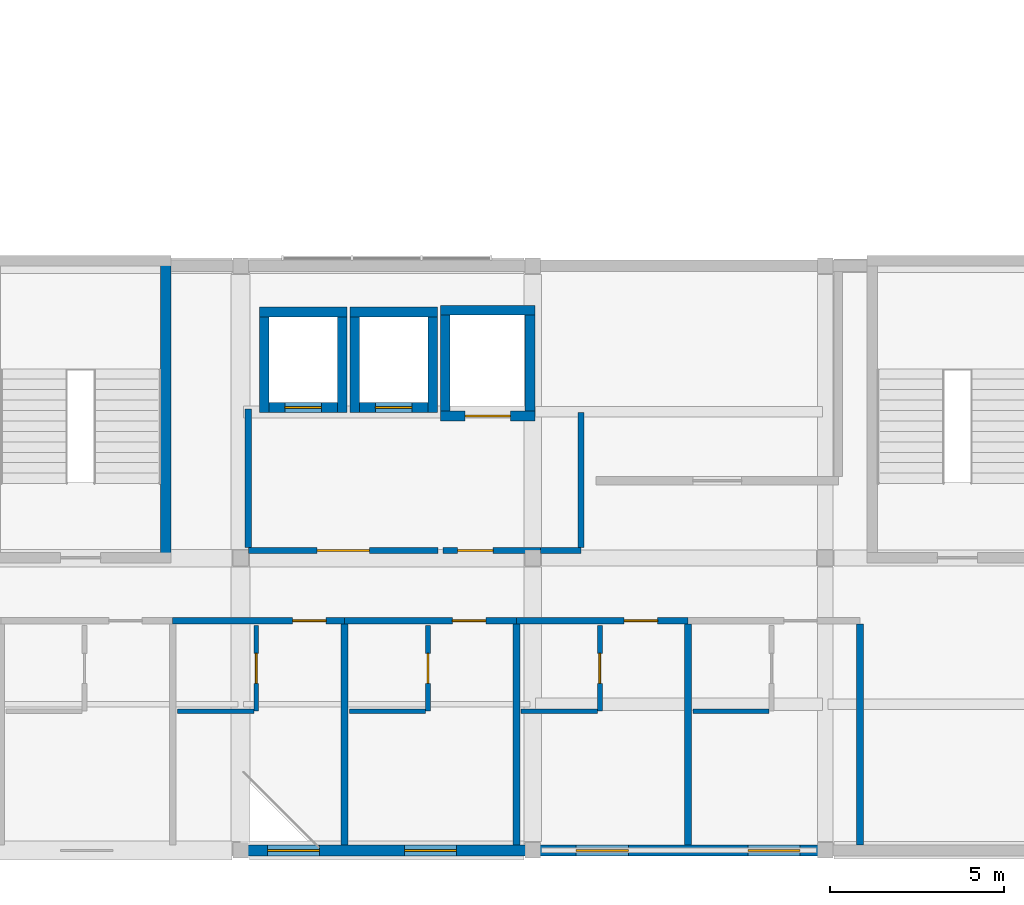
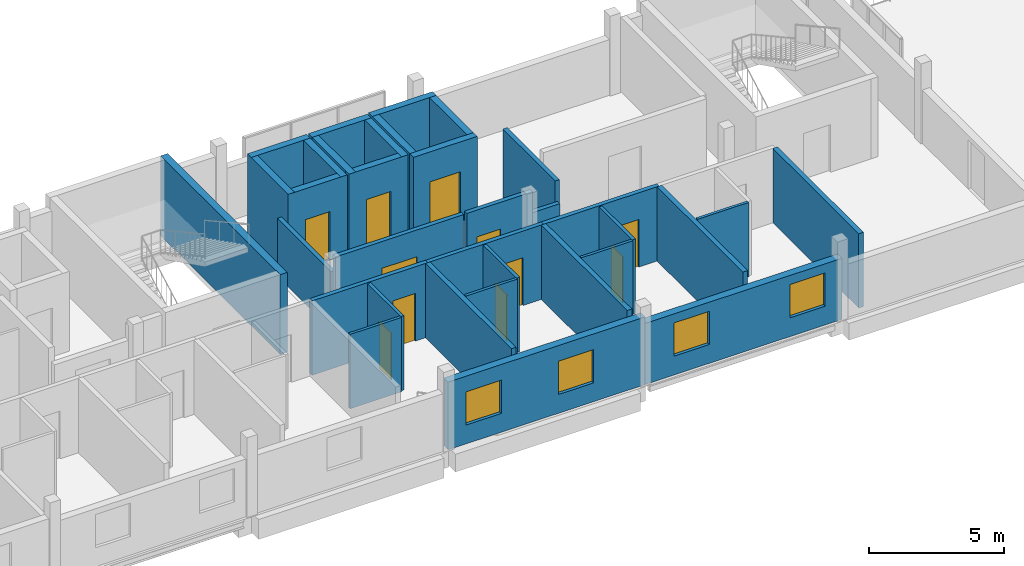
# One storey, part 15 of 19: 34 walls, 11 doors, 4 windows, 15 openings.
"""IFC4 building model written with IfcOpenShell, lengths in metres."""

from ifc_helpers import new_model, si_unit, derived_unit, direction, frame, frame_2d, origin, place, context, subcontext, project, spatial, rectangle, extrude, material, layer, layer_set, type_object, element, fill, save


model = new_model("IFC4")

# Units and contexts
model_context = context("Model", 3, precision=1e-05, world=origin(), true_north=direction((0.0, 1.0)))
body_context = subcontext(model_context, "Body", "Model", "MODEL_VIEW")
ifc_project = project(units=[si_unit("LENGTHUNIT", "METRE"), si_unit("AREAUNIT", "SQUARE_METRE"), si_unit("VOLUMEUNIT", "CUBIC_METRE"), si_unit("PLANEANGLEUNIT", "RADIAN"), si_unit("MASSUNIT", "GRAM", prefix="KILO"), derived_unit("THERMALTRANSMITTANCEUNIT", [(si_unit("POWERUNIT", "WATT"), 1), (si_unit("LENGTHUNIT", "METRE"), -2), (si_unit("THERMODYNAMICTEMPERATUREUNIT", "KELVIN"), -1)])], contexts=[model_context])

# Site, building, storey
site_placement = place(None, origin())
site = spatial("IfcSite", under=ifc_project, at=site_placement, CompositionType="ELEMENT")
building_placement = place(site_placement, origin())
building = spatial("IfcBuilding", under=site, at=building_placement, Name="Barrovel Congress Hotel", CompositionType="ELEMENT")
storey_placement = place(building_placement, frame((0.0, 0.0, 43.5)))
storey = spatial("IfcBuildingStorey", under=building, at=storey_placement, Name="L11", CompositionType="ELEMENT", Elevation=43.5)

# Wall, openings, windows
ifc_material_1 = material(Name="Fired Clay Brick Masonry", Category="masonry")
ifc_layer_1 = layer(ifc_material_1, 0.320068359375)
ifc_layer_set_1 = layer_set([ifc_layer_1], Name="Fired Clay Brick Masonry")
wall_type_1 = type_object("IfcWallType", Name="EW-BRK320", PredefinedType="STANDARD", material=ifc_layer_set_1)
wall_1_placement = place(storey_placement, frame((84.0, 4.199951171875, 0.0), z_axis=(0.0, 0.0, 1.0), x_axis=(1.0, 0.0, 0.0)))
wall_1 = element("IfcWall", 1, at=wall_1_placement, inside=storey, type_object=wall_type_1, Name="EW:L11:HS-S:P07", PredefinedType="STANDARD", context=body_context, shape_type="SweptSolid", body=[
    extrude(rectangle(XDim=8.39990234375, YDim=0.320068359375, at=frame_2d((4.199951171875, 0.0))), origin(), (0.0, 0.0, 1.0), 3.05517578125),
])
opening_1_placement = place(wall_1_placement, frame((0.768798828125, 0.0, 0.85009765625)))
opening_1 = element("IfcOpeningElement", 2, at=opening_1_placement, cuts=wall_1, Name="Opening WN-07", PredefinedType="OPENING", context=body_context, shape_type="SweptSolid", body=[
    extrude(rectangle(XDim=1.5, YDim=1.5, at=frame_2d((0.75, 0.75))), frame((0.0, 0.169921875, 0.0), z_axis=(0.0, -1.0, 0.0), x_axis=(1.0, 0.0, 0.0)), (0.0, 0.0, 1.0), 0.340087890625),
])
opening_2_placement = place(wall_1_placement, frame((4.706298828125, 0.0, 0.85009765625)))
opening_2 = element("IfcOpeningElement", 3, at=opening_2_placement, cuts=wall_1, Name="Opening WN-07", PredefinedType="OPENING", context=body_context, shape_type="SweptSolid", body=[
    extrude(rectangle(XDim=1.5, YDim=1.5, at=frame_2d((0.75, 0.75))), frame((0.0, 0.169921875, 0.0), z_axis=(0.0, -1.0, 0.0), x_axis=(1.0, 0.0, 0.0)), (0.0, 0.0, 1.0), 0.340087890625),
])
ifc_material_2 = material(Name="Double Low-E Insulated Glazing", Category="glass")
window_type = type_object("IfcWindowType", Name="WIN-WN-07", PartitioningType="SINGLE_PANEL", PredefinedType="WINDOW", material=ifc_material_2)
window_1_placement = place(opening_1_placement, origin())
window_1 = element("IfcWindow", 4, at=window_1_placement, inside=storey, type_object=window_type, Name="WIN:L11:U14", OverallHeight=1.5, OverallWidth=1.5, PartitioningType="SINGLE_PANEL", PredefinedType="WINDOW", context=body_context, shape_type="SweptSolid", body=[
    extrude(rectangle(XDim=1.5, YDim=1.5, at=frame_2d((0.75, 0.75))), frame((0.0, 0.030029296875, 0.0), z_axis=(0.0, -1.0, 0.0), x_axis=(1.0, 0.0, 0.0)), (0.0, 0.0, 1.0), 0.06005859375),
])
fill(opening_1, window_1)
window_2_placement = place(opening_2_placement, origin())
window_2 = element("IfcWindow", 5, at=window_2_placement, inside=storey, type_object=window_type, Name="WIN:L11:U15", OverallHeight=1.5, OverallWidth=1.5, PartitioningType="SINGLE_PANEL", PredefinedType="WINDOW", context=body_context, shape_type="SweptSolid", body=[
    extrude(rectangle(XDim=1.5, YDim=1.5, at=frame_2d((0.75, 0.75))), frame((0.0, 0.030029296875, 0.0), z_axis=(0.0, -1.0, 0.0), x_axis=(1.0, 0.0, 0.0)), (0.0, 0.0, 1.0), 0.06005859375),
])
fill(opening_2, window_2)

wall_2_placement = place(storey_placement, frame((92.39990234375, 4.199951171875, 0.0), z_axis=(0.0, 0.0, 1.0), x_axis=(1.0, 0.0, 0.0)))
wall_2 = element("IfcWall", 6, at=wall_2_placement, inside=storey, type_object=wall_type_1, Name="EW:L11:HS-S:P08", PredefinedType="STANDARD", context=body_context, shape_type="SweptSolid", body=[
    extrude(rectangle(XDim=8.400146484375, YDim=0.320068359375, at=frame_2d((4.2001953125, 0.0))), origin(), (0.0, 0.0, 1.0), 2.760009765625),
])
opening_3_placement = place(wall_2_placement, frame((1.24365234375, 0.0, 0.85009765625)))
opening_3 = element("IfcOpeningElement", 7, at=opening_3_placement, cuts=wall_2, Name="Opening WN-07", PredefinedType="OPENING", context=body_context, shape_type="SweptSolid", body=[
    extrude(rectangle(XDim=1.5, YDim=1.5, at=frame_2d((0.75, 0.75))), frame((0.0, 0.169921875, 0.0), z_axis=(0.0, -1.0, 0.0), x_axis=(1.0, 0.0, 0.0)), (0.0, 0.0, 1.0), 0.340087890625),
])
opening_4_placement = place(wall_2_placement, frame((6.18115234375, 0.0, 0.85009765625)))
opening_4 = element("IfcOpeningElement", 8, at=opening_4_placement, cuts=wall_2, Name="Opening WN-07", PredefinedType="OPENING", context=body_context, shape_type="SweptSolid", body=[
    extrude(rectangle(XDim=1.5, YDim=1.5, at=frame_2d((0.75, 0.75))), frame((0.0, 0.169921875, 0.0), z_axis=(0.0, -1.0, 0.0), x_axis=(1.0, 0.0, 0.0)), (0.0, 0.0, 1.0), 0.340087890625),
])
window_3_placement = place(opening_3_placement, origin())
window_3 = element("IfcWindow", 9, at=window_3_placement, inside=storey, type_object=window_type, Name="WIN:L11:U16", OverallHeight=1.5, OverallWidth=1.5, PartitioningType="SINGLE_PANEL", PredefinedType="WINDOW", context=body_context, shape_type="SweptSolid", body=[
    extrude(rectangle(XDim=1.5, YDim=1.5, at=frame_2d((0.75, 0.75))), frame((0.0, 0.030029296875, 0.0), z_axis=(0.0, -1.0, 0.0), x_axis=(1.0, 0.0, 0.0)), (0.0, 0.0, 1.0), 0.06005859375),
])
fill(opening_3, window_3)
window_4_placement = place(opening_4_placement, origin())
window_4 = element("IfcWindow", 10, at=window_4_placement, inside=storey, type_object=window_type, Name="WIN:L11:U17", OverallHeight=1.5, OverallWidth=1.5, PartitioningType="SINGLE_PANEL", PredefinedType="WINDOW", context=body_context, shape_type="SweptSolid", body=[
    extrude(rectangle(XDim=1.5, YDim=1.5, at=frame_2d((0.75, 0.75))), frame((0.0, 0.030029296875, 0.0), z_axis=(0.0, -1.0, 0.0), x_axis=(1.0, 0.0, 0.0)), (0.0, 0.0, 1.0), 0.06005859375),
])
fill(opening_4, window_4)

# Wall, opening, door
ifc_material_3 = material(Name="Gypsum Acoustic Stud", Category="gypsum")
ifc_layer_2 = layer(ifc_material_3, 0.179931640625)
ifc_layer_set_2 = layer_set([ifc_layer_2], Name="Gypsum Acoustic Stud")
wall_type_2 = type_object("IfcWallType", Name="PW-ACU-180", PredefinedType="PARTITIONING", material=ifc_layer_set_2)
wall_3_placement = place(storey_placement, frame((82.050048828125, 10.800048828125, 0.0), z_axis=(0.0, 0.0, 1.0), x_axis=(1.0, 0.0, 0.0)))
wall_3 = element("IfcWall", 11, at=wall_3_placement, inside=storey, type_object=wall_type_2, Name="PW:L11:U14:COR", PredefinedType="PARTITIONING", context=body_context, shape_type="SweptSolid", body=[
    extrude(rectangle(XDim=4.9375, YDim=0.179931640625, at=frame_2d((2.46875, 0.0))), origin(), (0.0, 0.0, 1.0), 3.35498046875),
])
opening_5_placement = place(wall_3_placement, frame((3.4482421875, 0.0, 0.0)))
opening_5 = element("IfcOpeningElement", 12, at=opening_5_placement, cuts=wall_3, Name="Opening ID-HTL", PredefinedType="OPENING", context=body_context, shape_type="SweptSolid", body=[
    extrude(rectangle(XDim=0.9599609375, YDim=2.14990234375, at=frame_2d((0.47998046875, 1.074951171875))), frame((0.0, 0.10009765625, 0.0), z_axis=(0.0, -1.0, 0.0), x_axis=(1.0, 0.0, 0.0)), (0.0, 0.0, 1.0), 0.199951171875),
])
ifc_material_4 = material(Name="Solid Oak Acoustic Timber Door", Category="wood")
door_type_1 = type_object("IfcDoorType", Name="IDR-ID-HTL", OperationType="NOTDEFINED", PredefinedType="DOOR", material=ifc_material_4)
door_1_placement = place(opening_5_placement, origin())
door_1 = element("IfcDoor", 13, at=door_1_placement, inside=storey, type_object=door_type_1, Name="DR:L11:U14:ENT", OperationType="SINGLE_SWING_RIGHT", OverallHeight=2.14990234375, OverallWidth=0.9599609375, PredefinedType="DOOR", context=body_context, shape_type="SweptSolid", body=[
    extrude(rectangle(XDim=0.9599609375, YDim=2.14990234375, at=frame_2d((0.47998046875, 1.074951171875))), frame((0.0, 0.02490234375, 0.0), z_axis=(0.0, -1.0, 0.0), x_axis=(1.0, 0.0, 0.0)), (0.0, 0.0, 1.0), 0.050048828125),
])
fill(opening_5, door_1)

wall_4_placement = place(storey_placement, frame((86.987548828125, 10.800048828125, 0.0), z_axis=(0.0, 0.0, 1.0), x_axis=(1.0, 0.0, 0.0)))
wall_4 = element("IfcWall", 14, at=wall_4_placement, inside=storey, type_object=wall_type_2, Name="PW:L11:U15:COR", PredefinedType="PARTITIONING", context=body_context, shape_type="SweptSolid", body=[
    extrude(rectangle(XDim=4.9375, YDim=0.179931640625, at=frame_2d((2.46875, 0.0))), origin(), (0.0, 0.0, 1.0), 3.35498046875),
])
opening_6_placement = place(wall_4_placement, frame((3.098388671875, 0.0, 0.0)))
opening_6 = element("IfcOpeningElement", 15, at=opening_6_placement, cuts=wall_4, Name="Opening ID-HTL", PredefinedType="OPENING", context=body_context, shape_type="SweptSolid", body=[
    extrude(rectangle(XDim=0.9599609375, YDim=2.14990234375, at=frame_2d((0.47998046875, 1.074951171875))), frame((0.0, 0.10009765625, 0.0), z_axis=(0.0, -1.0, 0.0), x_axis=(1.0, 0.0, 0.0)), (0.0, 0.0, 1.0), 0.199951171875),
])
door_2_placement = place(opening_6_placement, origin())
door_2 = element("IfcDoor", 16, at=door_2_placement, inside=storey, type_object=door_type_1, Name="DR:L11:U15:ENT", OperationType="SINGLE_SWING_RIGHT", OverallHeight=2.14990234375, OverallWidth=0.9599609375, PredefinedType="DOOR", context=body_context, shape_type="SweptSolid", body=[
    extrude(rectangle(XDim=0.9599609375, YDim=2.14990234375, at=frame_2d((0.47998046875, 1.074951171875))), frame((0.0, 0.02490234375, 0.0), z_axis=(0.0, -1.0, 0.0), x_axis=(1.0, 0.0, 0.0)), (0.0, 0.0, 1.0), 0.050048828125),
])
fill(opening_6, door_2)

wall_5_placement = place(storey_placement, frame((91.925048828125, 10.800048828125, 0.0), z_axis=(0.0, 0.0, 1.0), x_axis=(1.0, 0.0, 0.0)))
wall_5 = element("IfcWall", 17, at=wall_5_placement, inside=storey, type_object=wall_type_2, Name="PW:L11:U16:COR", PredefinedType="PARTITIONING", context=body_context, shape_type="SweptSolid", body=[
    extrude(rectangle(XDim=4.9375, YDim=0.179931640625, at=frame_2d((2.46875, 0.0))), origin(), (0.0, 0.0, 1.0), 3.35498046875),
])
opening_7_placement = place(wall_5_placement, frame((3.098388671875, 0.0, 0.0)))
opening_7 = element("IfcOpeningElement", 18, at=opening_7_placement, cuts=wall_5, Name="Opening ID-HTL", PredefinedType="OPENING", context=body_context, shape_type="SweptSolid", body=[
    extrude(rectangle(XDim=0.9599609375, YDim=2.14990234375, at=frame_2d((0.47998046875, 1.074951171875))), frame((0.0, 0.10009765625, 0.0), z_axis=(0.0, -1.0, 0.0), x_axis=(1.0, 0.0, 0.0)), (0.0, 0.0, 1.0), 0.199951171875),
])
door_3_placement = place(opening_7_placement, origin())
door_3 = element("IfcDoor", 19, at=door_3_placement, inside=storey, type_object=door_type_1, Name="DR:L11:U16:ENT", OperationType="SINGLE_SWING_RIGHT", OverallHeight=2.14990234375, OverallWidth=0.9599609375, PredefinedType="DOOR", context=body_context, shape_type="SweptSolid", body=[
    extrude(rectangle(XDim=0.9599609375, YDim=2.14990234375, at=frame_2d((0.47998046875, 1.074951171875))), frame((0.0, 0.02490234375, 0.0), z_axis=(0.0, -1.0, 0.0), x_axis=(1.0, 0.0, 0.0)), (0.0, 0.0, 1.0), 0.050048828125),
])
fill(opening_7, door_3)

wall_6_placement = place(storey_placement, frame((84.219970703125, 12.820068359375, 0.0), z_axis=(0.0, 0.0, 1.0), x_axis=(1.0, 0.0, 0.0)))
wall_6 = element("IfcWall", 20, at=wall_6_placement, inside=storey, type_object=wall_type_2, Name="RW:SP:L11:LL-C2:S", PredefinedType="PARTITIONING", context=body_context, shape_type="SweptSolid", body=[
    extrude(rectangle(XDim=5.4599609375, YDim=0.179931640625, at=frame_2d((2.72998046875, 0.0))), origin(), (0.0, 0.0, 1.0), 3.35498046875),
])
opening_8_placement = place(wall_6_placement, frame((1.97998046875, 0.0, 0.0)))
opening_8 = element("IfcOpeningElement", 21, at=opening_8_placement, cuts=wall_6, Name="Opening ID-FFL", PredefinedType="OPENING", context=body_context, shape_type="SweptSolid", body=[
    extrude(rectangle(XDim=1.5, YDim=2.14990234375, at=frame_2d((0.75, 1.074951171875))), frame((0.0, 0.10009765625, 0.0), z_axis=(0.0, -1.0, 0.0), x_axis=(1.0, 0.0, 0.0)), (0.0, 0.0, 1.0), 0.199951171875),
])
ifc_material_5 = material(Name="Painted Hollow-Metal Steel Door", Category="steel")
door_type_2 = type_object("IfcDoorType", Name="IDR-ID-FFL", OperationType="NOTDEFINED", PredefinedType="DOOR", material=ifc_material_5)
door_4_placement = place(opening_8_placement, origin())
door_4 = element("IfcDoor", 22, at=door_4_placement, inside=storey, type_object=door_type_2, Name="RD:SP:L11:LL-C2", OperationType="DOUBLE_DOOR_SINGLE_SWING", OverallHeight=2.14990234375, OverallWidth=1.5, PredefinedType="DOOR", context=body_context, shape_type="SweptSolid", body=[
    extrude(rectangle(XDim=1.5, YDim=2.14990234375, at=frame_2d((0.75, 1.074951171875))), frame((0.0, 0.02490234375, 0.0), z_axis=(0.0, -1.0, 0.0), x_axis=(1.0, 0.0, 0.0)), (0.0, 0.0, 1.0), 0.050048828125),
])
fill(opening_8, door_4)

# Wall
wall_7_placement = place(storey_placement, frame((84.219970703125, 12.909912109375, 0.0), z_axis=(0.0, 0.0, 1.0), x_axis=(0.0, 1.0, 0.0)))
element("IfcWall", 23, at=wall_7_placement, inside=storey, type_object=wall_type_2, Name="RW:SP:L11:LL-C2:W", PredefinedType="PARTITIONING", context=body_context, shape_type="SweptSolid", body=[
    extrude(rectangle(XDim=3.969970703125, YDim=0.179931640625, at=frame_2d((1.98486328125, 0.0))), origin(), (0.0, 0.0, 1.0), 2.610107421875),
])

# Wall, opening, door
wall_8_placement = place(storey_placement, frame((89.820068359375, 12.820068359375, 0.0), z_axis=(0.0, 0.0, 1.0), x_axis=(1.0, 0.0, 0.0)))
wall_8 = element("IfcWall", 24, at=wall_8_placement, inside=storey, type_object=wall_type_2, Name="RW:SP:L11:LL-SL2:S", PredefinedType="PARTITIONING", context=body_context, shape_type="SweptSolid", body=[
    extrude(rectangle(XDim=2.804931640625, YDim=0.179931640625, at=frame_2d((1.40234375, 0.0))), origin(), (0.0, 0.0, 1.0), 3.35498046875),
])
opening_9_placement = place(wall_8_placement, frame((0.419921875, 0.0, 0.0)))
opening_9 = element("IfcOpeningElement", 25, at=opening_9_placement, cuts=wall_8, Name="Opening ID-ACC", PredefinedType="OPENING", context=body_context, shape_type="SweptSolid", body=[
    extrude(rectangle(XDim=1.02001953125, YDim=2.14990234375, at=frame_2d((0.510009765625, 1.074951171875))), frame((0.0, 0.10009765625, 0.0), z_axis=(0.0, -1.0, 0.0), x_axis=(1.0, 0.0, 0.0)), (0.0, 0.0, 1.0), 0.199951171875),
])
door_type_3 = type_object("IfcDoorType", Name="IDR-ID-ACC", OperationType="NOTDEFINED", PredefinedType="DOOR", material=ifc_material_4)
door_5_placement = place(opening_9_placement, origin())
door_5 = element("IfcDoor", 26, at=door_5_placement, inside=storey, type_object=door_type_3, Name="RD:SP:L11:LL-SL2", OperationType="SINGLE_SWING_LEFT", OverallHeight=2.14990234375, OverallWidth=1.02001953125, PredefinedType="DOOR", context=body_context, shape_type="SweptSolid", body=[
    extrude(rectangle(XDim=1.02001953125, YDim=2.14990234375, at=frame_2d((0.510009765625, 1.074951171875))), frame((0.0, 0.02490234375, 0.0), z_axis=(0.0, -1.0, 0.0), x_axis=(1.0, 0.0, 0.0)), (0.0, 0.0, 1.0), 0.050048828125),
])
fill(opening_9, door_5)

# Walls
wall_9_placement = place(storey_placement, frame((93.780029296875, 12.909912109375, 0.0), z_axis=(0.0, 0.0, 1.0), x_axis=(0.0, 1.0, 0.0)))
element("IfcWall", 27, at=wall_9_placement, inside=storey, type_object=wall_type_2, Name="RW:SP:L11:LL-SL2:E", PredefinedType="PARTITIONING", context=body_context, shape_type="SweptSolid", body=[
    extrude(rectangle(XDim=3.8701171875, YDim=0.179931640625, at=frame_2d((1.93505859375, 0.0))), origin(), (0.0, 0.0, 1.0), 3.35498046875),
])
wall_10_placement = place(storey_placement, frame((92.625, 12.820068359375, 0.0), z_axis=(0.0, 0.0, 1.0), x_axis=(1.0, 0.0, 0.0)))
element("IfcWall", 28, at=wall_10_placement, inside=storey, type_object=wall_type_2, Name="RW:SP:L11:LL-SL2:S:P02", PredefinedType="PARTITIONING", context=body_context, shape_type="SweptSolid", body=[
    extrude(rectangle(XDim=1.155029296875, YDim=0.179931640625, at=frame_2d((0.57763671875, 0.0))), origin(), (0.0, 0.0, 1.0), 2.409912109375),
])
ifc_layer_3 = layer(ifc_material_3, 0.1201171875)
ifc_layer_set_3 = layer_set([ifc_layer_3], Name="Gypsum Acoustic Stud")
wall_type_3 = type_object("IfcWallType", Name="PW-INT-120", PredefinedType="PARTITIONING", material=ifc_layer_set_3)
for number, where, z_axis, x_axis, name in (
    (29, (82.18994140625, 8.199951171875, 0.0), (0.0, 0.0, 1.0), (1.0, 0.0, 0.0), "PW:L11:U14:B2"),
    (30, (87.12744140625, 8.199951171875, 0.0), (0.0, 0.0, 1.0), (1.0, 0.0, 0.0), "PW:L11:U15:B2"),
    (31, (92.06494140625, 8.199951171875, 0.0), (0.0, 0.0, 1.0), (1.0, 0.0, 0.0), "PW:L11:U16:B2"),
    (32, (97.00244140625, 8.199951171875, 0.0), (0.0, 0.0, 1.0), (1.0, 0.0, 0.0), "PW:L11:U17:B2"),
):
    element("IfcWall", number, at=place(storey_placement, frame(where, z_axis=z_axis, x_axis=x_axis)), inside=storey, type_object=wall_type_3, Name=name, PredefinedType="PARTITIONING", context=body_context, shape_type="SweptSolid", body=[
        extrude(rectangle(XDim=2.18994140625, YDim=0.1201171875, at=frame_2d((1.094970703125, 0.0))), origin(), (0.0, 0.0, 1.0), 3.35498046875),
    ])
ifc_layer_4 = layer(ifc_material_1, 0.199951171875)
ifc_layer_set_4 = layer_set([ifc_layer_4], Name="Fired Clay Brick Masonry")
wall_type_4 = type_object("IfcWallType", Name="PW-MAS-200", PredefinedType="PARTITIONING", material=ifc_layer_set_4)
for number, where, z_axis, x_axis, name in (
    (33, (86.987548828125, 4.360107421875, 0.0), (0.0, 0.0, 1.0), (0.0, 1.0, 0.0), "PW:L11:U14:DEM"),
    (34, (91.925048828125, 4.360107421875, 0.0), (0.0, 0.0, 1.0), (0.0, 1.0, 0.0), "PW:L11:U15:DEM"),
    (35, (96.862548828125, 4.360107421875, 0.0), (0.0, 0.0, 1.0), (0.0, 1.0, 0.0), "PW:L11:U16:DEM"),
    (36, (101.800048828125, 4.360107421875, 0.0), (0.0, 0.0, 1.0), (0.0, 1.0, 0.0), "PW:L11:U17:DEM"),
):
    element("IfcWall", number, at=place(storey_placement, frame(where, z_axis=z_axis, x_axis=x_axis)), inside=storey, type_object=wall_type_4, Name=name, PredefinedType="PARTITIONING", context=body_context, shape_type="SweptSolid", body=[
        extrude(rectangle(XDim=6.349853515625, YDim=0.199951171875, at=frame_2d((3.1748046875, 0.0))), origin(), (0.0, 0.0, 1.0), 3.35498046875),
    ])

# Wall, opening, door
ifc_material_6 = material(Name="Gypsum Moisture Board", Category="gypsum")
ifc_layer_5 = layer(ifc_material_6, 0.139892578125)
ifc_layer_set_5 = layer_set([ifc_layer_5], Name="Gypsum Moisture Board")
wall_type_5 = type_object("IfcWallType", Name="PW-WET-140", PredefinedType="PARTITIONING", material=ifc_layer_set_5)
wall_11_placement = place(storey_placement, frame((84.449951171875, 8.199951171875, 0.0), z_axis=(0.0, 0.0, 1.0), x_axis=(0.0, 1.0, 0.0)))
wall_11 = element("IfcWall", 37, at=wall_11_placement, inside=storey, type_object=wall_type_5, Name="PW:L11:U14:B1", PredefinedType="PARTITIONING", context=body_context, shape_type="SweptSolid", body=[
    extrude(rectangle(XDim=2.4599609375, YDim=0.139892578125, at=frame_2d((1.22998046875, 0.0))), origin(), (0.0, 0.0, 1.0), 3.35498046875),
])
opening_10_placement = place(wall_11_placement, frame((0.800048828125, 0.0, 0.0)))
opening_10 = element("IfcOpeningElement", 38, at=opening_10_placement, cuts=wall_11, Name="Opening ID-ENS", PredefinedType="OPENING", context=body_context, shape_type="SweptSolid", body=[
    extrude(rectangle(XDim=0.860107421875, YDim=2.10009765625, at=frame_2d((0.43017578125, 1.050048828125))), frame((0.0, 0.080078125, 0.0), z_axis=(0.0, -1.0, 0.0), x_axis=(1.0, 0.0, 0.0)), (0.0, 0.0, 1.0), 0.159912109375),
])
ifc_material_7 = material(Name="Lacquered Timber Moisture Door", Category="wood")
door_type_4 = type_object("IfcDoorType", Name="IDR-ID-ENS", OperationType="NOTDEFINED", PredefinedType="DOOR", material=ifc_material_7)
door_6_placement = place(opening_10_placement, origin())
door_6 = element("IfcDoor", 39, at=door_6_placement, inside=storey, type_object=door_type_4, Name="DR:L11:U14:ENS", OperationType="SINGLE_SWING_LEFT", OverallHeight=2.10009765625, OverallWidth=0.860107421875, PredefinedType="DOOR", context=body_context, shape_type="SweptSolid", body=[
    extrude(rectangle(XDim=0.860107421875, YDim=2.10009765625, at=frame_2d((0.43017578125, 1.050048828125))), frame((0.0, 0.02490234375, 0.0), z_axis=(0.0, -1.0, 0.0), x_axis=(1.0, 0.0, 0.0)), (0.0, 0.0, 1.0), 0.050048828125),
])
fill(opening_10, door_6)

wall_12_placement = place(storey_placement, frame((89.387451171875, 8.199951171875, 0.0), z_axis=(0.0, 0.0, 1.0), x_axis=(0.0, 1.0, 0.0)))
wall_12 = element("IfcWall", 40, at=wall_12_placement, inside=storey, type_object=wall_type_5, Name="PW:L11:U15:B1", PredefinedType="PARTITIONING", context=body_context, shape_type="SweptSolid", body=[
    extrude(rectangle(XDim=2.4599609375, YDim=0.139892578125, at=frame_2d((1.22998046875, 0.0))), origin(), (0.0, 0.0, 1.0), 3.35498046875),
])
opening_11_placement = place(wall_12_placement, frame((0.800048828125, 0.0, 0.0)))
opening_11 = element("IfcOpeningElement", 41, at=opening_11_placement, cuts=wall_12, Name="Opening ID-ENS", PredefinedType="OPENING", context=body_context, shape_type="SweptSolid", body=[
    extrude(rectangle(XDim=0.860107421875, YDim=2.10009765625, at=frame_2d((0.43017578125, 1.050048828125))), frame((0.0, 0.080078125, 0.0), z_axis=(0.0, -1.0, 0.0), x_axis=(1.0, 0.0, 0.0)), (0.0, 0.0, 1.0), 0.159912109375),
])
door_7_placement = place(opening_11_placement, origin())
door_7 = element("IfcDoor", 42, at=door_7_placement, inside=storey, type_object=door_type_4, Name="DR:L11:U15:ENS", OperationType="SINGLE_SWING_LEFT", OverallHeight=2.10009765625, OverallWidth=0.860107421875, PredefinedType="DOOR", context=body_context, shape_type="SweptSolid", body=[
    extrude(rectangle(XDim=0.860107421875, YDim=2.10009765625, at=frame_2d((0.43017578125, 1.050048828125))), frame((0.0, 0.02490234375, 0.0), z_axis=(0.0, -1.0, 0.0), x_axis=(1.0, 0.0, 0.0)), (0.0, 0.0, 1.0), 0.050048828125),
])
fill(opening_11, door_7)

wall_13_placement = place(storey_placement, frame((94.324951171875, 8.199951171875, 0.0), z_axis=(0.0, 0.0, 1.0), x_axis=(0.0, 1.0, 0.0)))
wall_13 = element("IfcWall", 43, at=wall_13_placement, inside=storey, type_object=wall_type_5, Name="PW:L11:U16:B1", PredefinedType="PARTITIONING", context=body_context, shape_type="SweptSolid", body=[
    extrude(rectangle(XDim=2.4599609375, YDim=0.139892578125, at=frame_2d((1.22998046875, 0.0))), origin(), (0.0, 0.0, 1.0), 3.35498046875),
])
opening_12_placement = place(wall_13_placement, frame((0.800048828125, 0.0, 0.0)))
opening_12 = element("IfcOpeningElement", 44, at=opening_12_placement, cuts=wall_13, Name="Opening ID-ENS", PredefinedType="OPENING", context=body_context, shape_type="SweptSolid", body=[
    extrude(rectangle(XDim=0.860107421875, YDim=2.10009765625, at=frame_2d((0.43017578125, 1.050048828125))), frame((0.0, 0.080078125, 0.0), z_axis=(0.0, -1.0, 0.0), x_axis=(1.0, 0.0, 0.0)), (0.0, 0.0, 1.0), 0.159912109375),
])
door_8_placement = place(opening_12_placement, origin())
door_8 = element("IfcDoor", 45, at=door_8_placement, inside=storey, type_object=door_type_4, Name="DR:L11:U16:ENS", OperationType="SINGLE_SWING_LEFT", OverallHeight=2.10009765625, OverallWidth=0.860107421875, PredefinedType="DOOR", context=body_context, shape_type="SweptSolid", body=[
    extrude(rectangle(XDim=0.860107421875, YDim=2.10009765625, at=frame_2d((0.43017578125, 1.050048828125))), frame((0.0, 0.02490234375, 0.0), z_axis=(0.0, -1.0, 0.0), x_axis=(1.0, 0.0, 0.0)), (0.0, 0.0, 1.0), 0.050048828125),
])
fill(opening_12, door_8)

ifc_material_8 = material(Name="Concrete C40", Category="concrete")
ifc_layer_6 = layer(ifc_material_8, 0.280029296875)
ifc_layer_set_6 = layer_set([ifc_layer_6], Name="Concrete C40")
wall_type_6 = type_object("IfcWallType", Name="SW-C40-280", PredefinedType="SHEAR", material=ifc_layer_set_6)
wall_14_placement = place(storey_placement, frame((84.5400390625, 16.929931640625, 0.0), z_axis=(0.0, 0.0, 1.0), x_axis=(1.0, 0.0, 0.0)))
wall_14 = element("IfcWall", 46, at=wall_14_placement, inside=storey, type_object=wall_type_6, Name="LSH:PL-3:L11:S", PredefinedType="SHEAR", context=body_context, shape_type="SweptSolid", body=[
    extrude(rectangle(XDim=2.52001953125, YDim=0.280029296875, at=frame_2d((1.260009765625, 0.0))), origin(), (0.0, 0.0, 1.0), 3.60009765625),
])
opening_13_placement = place(wall_14_placement, frame((0.735107421875, 0.0, 0.0)))
opening_13 = element("IfcOpeningElement", 47, at=opening_13_placement, cuts=wall_14, Name="Opening LD-PAX", PredefinedType="OPENING", context=body_context, shape_type="SweptSolid", body=[
    extrude(rectangle(XDim=1.050048828125, YDim=2.199951171875, at=frame_2d((0.52490234375, 1.10009765625))), frame((0.0, 0.14990234375, 0.0), z_axis=(0.0, -1.0, 0.0), x_axis=(1.0, 0.0, 0.0)), (0.0, 0.0, 1.0), 0.300048828125),
])
ifc_material_9 = material(Name="Brushed Stainless Steel", Category="steel")
door_type_5 = type_object("IfcDoorType", Name="IDR-LD-PAX", OperationType="NOTDEFINED", PredefinedType="DOOR", material=ifc_material_9)
door_9_placement = place(opening_13_placement, origin())
door_9 = element("IfcDoor", 48, at=door_9_placement, inside=storey, type_object=door_type_5, Name="Lift Landing Door LD-PL-3-L11", OperationType="SLIDING_TO_LEFT", OverallHeight=2.199951171875, OverallWidth=1.050048828125, PredefinedType="DOOR", context=body_context, shape_type="SweptSolid", body=[
    extrude(rectangle(XDim=1.050048828125, YDim=2.199951171875, at=frame_2d((0.52490234375, 1.10009765625))), frame((0.0, 0.02490234375, 0.0), z_axis=(0.0, -1.0, 0.0), x_axis=(1.0, 0.0, 0.0)), (0.0, 0.0, 1.0), 0.050048828125),
])
fill(opening_13, door_9)

# Walls
wall_15_placement = place(storey_placement, frame((86.919921875, 16.7900390625, 0.0), z_axis=(0.0, 0.0, 1.0), x_axis=(0.0, 1.0, 0.0)))
element("IfcWall", 49, at=wall_15_placement, inside=storey, type_object=wall_type_6, Name="LSH:PL-3:L11:E", PredefinedType="SHEAR", context=body_context, shape_type="SweptSolid", body=[
    extrude(rectangle(XDim=3.02001953125, YDim=0.280029296875, at=frame_2d((1.510009765625, 0.0))), origin(), (0.0, 0.0, 1.0), 3.60009765625),
])
wall_16_placement = place(storey_placement, frame((87.06005859375, 19.669921875, 0.0), z_axis=(0.0, 0.0, 1.0), x_axis=(-1.0, 0.0, 0.0)))
element("IfcWall", 50, at=wall_16_placement, inside=storey, type_object=wall_type_6, Name="LSH:PL-3:L11:N", PredefinedType="SHEAR", context=body_context, shape_type="SweptSolid", body=[
    extrude(rectangle(XDim=2.52001953125, YDim=0.280029296875, at=frame_2d((1.260009765625, 0.0))), origin(), (0.0, 0.0, 1.0), 3.60009765625),
])
wall_17_placement = place(storey_placement, frame((84.679931640625, 19.81005859375, 0.0), z_axis=(0.0, 0.0, 1.0), x_axis=(0.0, -1.0, 0.0)))
element("IfcWall", 51, at=wall_17_placement, inside=storey, type_object=wall_type_6, Name="LSH:PL-3:L11:W", PredefinedType="SHEAR", context=body_context, shape_type="SweptSolid", body=[
    extrude(rectangle(XDim=3.02001953125, YDim=0.280029296875, at=frame_2d((1.510009765625, 0.0))), origin(), (0.0, 0.0, 1.0), 3.60009765625),
])

# Wall, opening, door
wall_18_placement = place(storey_placement, frame((87.139892578125, 16.929931640625, 0.0), z_axis=(0.0, 0.0, 1.0), x_axis=(1.0, 0.0, 0.0)))
wall_18 = element("IfcWall", 52, at=wall_18_placement, inside=storey, type_object=wall_type_6, Name="LSH:PL-4:L11:S", PredefinedType="SHEAR", context=body_context, shape_type="SweptSolid", body=[
    extrude(rectangle(XDim=2.52001953125, YDim=0.280029296875, at=frame_2d((1.260009765625, 0.0))), origin(), (0.0, 0.0, 1.0), 3.60009765625),
])
opening_14_placement = place(wall_18_placement, frame((0.735107421875, 0.0, 0.0)))
opening_14 = element("IfcOpeningElement", 53, at=opening_14_placement, cuts=wall_18, Name="Opening LD-PAX", PredefinedType="OPENING", context=body_context, shape_type="SweptSolid", body=[
    extrude(rectangle(XDim=1.050048828125, YDim=2.199951171875, at=frame_2d((0.52490234375, 1.10009765625))), frame((0.0, 0.14990234375, 0.0), z_axis=(0.0, -1.0, 0.0), x_axis=(1.0, 0.0, 0.0)), (0.0, 0.0, 1.0), 0.300048828125),
])
door_10_placement = place(opening_14_placement, origin())
door_10 = element("IfcDoor", 54, at=door_10_placement, inside=storey, type_object=door_type_5, Name="Lift Landing Door LD-PL-4-L11", OperationType="SLIDING_TO_LEFT", OverallHeight=2.199951171875, OverallWidth=1.050048828125, PredefinedType="DOOR", context=body_context, shape_type="SweptSolid", body=[
    extrude(rectangle(XDim=1.050048828125, YDim=2.199951171875, at=frame_2d((0.52490234375, 1.10009765625))), frame((0.0, 0.02490234375, 0.0), z_axis=(0.0, -1.0, 0.0), x_axis=(1.0, 0.0, 0.0)), (0.0, 0.0, 1.0), 0.050048828125),
])
fill(opening_14, door_10)

# Walls
wall_19_placement = place(storey_placement, frame((89.52001953125, 16.7900390625, 0.0), z_axis=(0.0, 0.0, 1.0), x_axis=(0.0, 1.0, 0.0)))
element("IfcWall", 55, at=wall_19_placement, inside=storey, type_object=wall_type_6, Name="LSH:PL-4:L11:E", PredefinedType="SHEAR", context=body_context, shape_type="SweptSolid", body=[
    extrude(rectangle(XDim=3.02001953125, YDim=0.280029296875, at=frame_2d((1.510009765625, 0.0))), origin(), (0.0, 0.0, 1.0), 3.60009765625),
])
wall_20_placement = place(storey_placement, frame((89.659912109375, 19.669921875, 0.0), z_axis=(0.0, 0.0, 1.0), x_axis=(-1.0, 0.0, 0.0)))
element("IfcWall", 56, at=wall_20_placement, inside=storey, type_object=wall_type_6, Name="LSH:PL-4:L11:N", PredefinedType="SHEAR", context=body_context, shape_type="SweptSolid", body=[
    extrude(rectangle(XDim=2.52001953125, YDim=0.280029296875, at=frame_2d((1.260009765625, 0.0))), origin(), (0.0, 0.0, 1.0), 3.60009765625),
])
wall_21_placement = place(storey_placement, frame((87.280029296875, 19.81005859375, 0.0), z_axis=(0.0, 0.0, 1.0), x_axis=(0.0, -1.0, 0.0)))
element("IfcWall", 57, at=wall_21_placement, inside=storey, type_object=wall_type_6, Name="LSH:PL-4:L11:W", PredefinedType="SHEAR", context=body_context, shape_type="SweptSolid", body=[
    extrude(rectangle(XDim=3.02001953125, YDim=0.280029296875, at=frame_2d((1.510009765625, 0.0))), origin(), (0.0, 0.0, 1.0), 3.60009765625),
])

# Wall, opening, door
wall_22_placement = place(storey_placement, frame((89.739990234375, 16.679931640625, 0.0), z_axis=(0.0, 0.0, 1.0), x_axis=(1.0, 0.0, 0.0)))
wall_22 = element("IfcWall", 58, at=wall_22_placement, inside=storey, type_object=wall_type_6, Name="LSH:SL-2:L11:S", PredefinedType="SHEAR", context=body_context, shape_type="SweptSolid", body=[
    extrude(rectangle(XDim=2.719970703125, YDim=0.280029296875, at=frame_2d((1.35986328125, 0.0))), origin(), (0.0, 0.0, 1.0), 3.60009765625),
])
opening_15_placement = place(wall_22_placement, frame((0.7099609375, 0.0, 0.0)))
opening_15 = element("IfcOpeningElement", 59, at=opening_15_placement, cuts=wall_22, Name="Opening LD-SRV", PredefinedType="OPENING", context=body_context, shape_type="SweptSolid", body=[
    extrude(rectangle(XDim=1.300048828125, YDim=2.25, at=frame_2d((0.64990234375, 1.125))), frame((0.0, 0.14990234375, 0.0), z_axis=(0.0, -1.0, 0.0), x_axis=(1.0, 0.0, 0.0)), (0.0, 0.0, 1.0), 0.300048828125),
])
door_type_6 = type_object("IfcDoorType", Name="IDR-LD-SRV", OperationType="NOTDEFINED", PredefinedType="DOOR", material=ifc_material_9)
door_11_placement = place(opening_15_placement, origin())
door_11 = element("IfcDoor", 60, at=door_11_placement, inside=storey, type_object=door_type_6, Name="Lift Landing Door LD-SL-2-L11", OperationType="SLIDING_TO_LEFT", OverallHeight=2.25, OverallWidth=1.300048828125, PredefinedType="DOOR", context=body_context, shape_type="SweptSolid", body=[
    extrude(rectangle(XDim=1.300048828125, YDim=2.25, at=frame_2d((0.64990234375, 1.125))), frame((0.0, 0.02490234375, 0.0), z_axis=(0.0, -1.0, 0.0), x_axis=(1.0, 0.0, 0.0)), (0.0, 0.0, 1.0), 0.050048828125),
])
fill(opening_15, door_11)

# Walls
wall_23_placement = place(storey_placement, frame((92.320068359375, 16.5400390625, 0.0), z_axis=(0.0, 0.0, 1.0), x_axis=(0.0, 1.0, 0.0)))
element("IfcWall", 61, at=wall_23_placement, inside=storey, type_object=wall_type_6, Name="LSH:SL-2:L11:E", PredefinedType="SHEAR", context=body_context, shape_type="SweptSolid", body=[
    extrude(rectangle(XDim=3.320068359375, YDim=0.280029296875, at=frame_2d((1.66015625, 0.0))), origin(), (0.0, 0.0, 1.0), 3.60009765625),
])
wall_24_placement = place(storey_placement, frame((92.4599609375, 19.719970703125, 0.0), z_axis=(0.0, 0.0, 1.0), x_axis=(-1.0, 0.0, 0.0)))
element("IfcWall", 62, at=wall_24_placement, inside=storey, type_object=wall_type_6, Name="LSH:SL-2:L11:N", PredefinedType="SHEAR", context=body_context, shape_type="SweptSolid", body=[
    extrude(rectangle(XDim=2.719970703125, YDim=0.280029296875, at=frame_2d((1.35986328125, 0.0))), origin(), (0.0, 0.0, 1.0), 3.60009765625),
])
wall_25_placement = place(storey_placement, frame((89.8798828125, 19.860107421875, 0.0), z_axis=(0.0, 0.0, 1.0), x_axis=(0.0, -1.0, 0.0)))
element("IfcWall", 63, at=wall_25_placement, inside=storey, type_object=wall_type_6, Name="LSH:SL-2:L11:W", PredefinedType="SHEAR", context=body_context, shape_type="SweptSolid", body=[
    extrude(rectangle(XDim=3.320068359375, YDim=0.280029296875, at=frame_2d((1.66015625, 0.0))), origin(), (0.0, 0.0, 1.0), 3.60009765625),
])
ifc_layer_7 = layer(ifc_material_8, 0.300048828125)
ifc_layer_set_7 = layer_set([ifc_layer_7], Name="Concrete C40")
wall_type_7 = type_object("IfcWallType", Name="SW-C40-300", PredefinedType="SHEAR", material=ifc_layer_set_7)
wall_26_placement = place(storey_placement, frame((81.85009765625, 12.4599609375, 0.0), z_axis=(0.0, 0.0, 1.0), x_axis=(0.0, 1.0, 0.0)))
element("IfcWall", 64, at=wall_26_placement, inside=storey, type_object=wall_type_7, Name="SHW:XS-02:L11:E", PredefinedType="SHEAR", context=body_context, shape_type="SweptSolid", body=[
    extrude(rectangle(XDim=8.840087890625, YDim=0.300048828125, at=frame_2d((4.419921875, 0.0))), origin(), (0.0, 0.0, 1.0), 3.60009765625),
])

save(model, "model.ifc")
